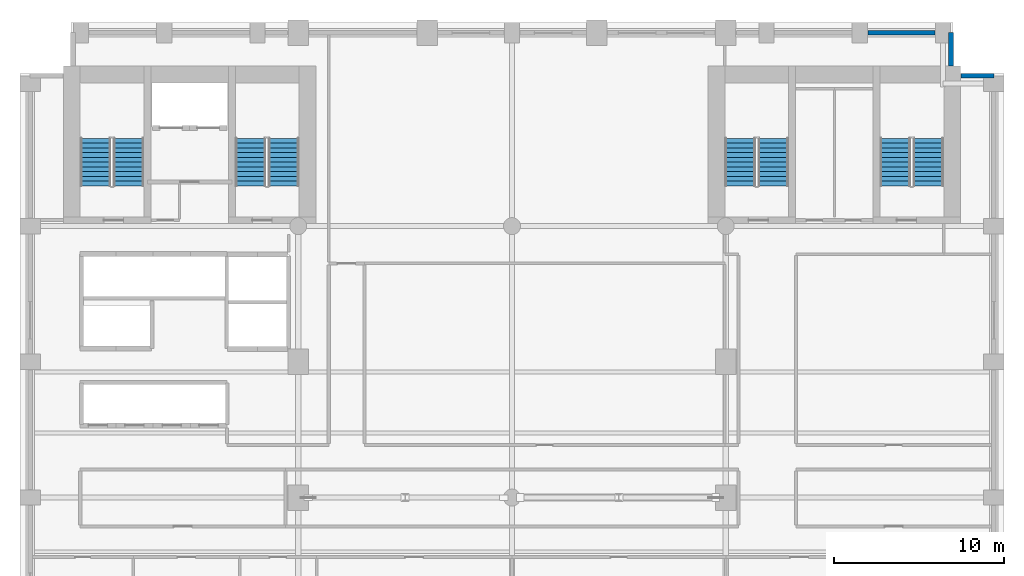
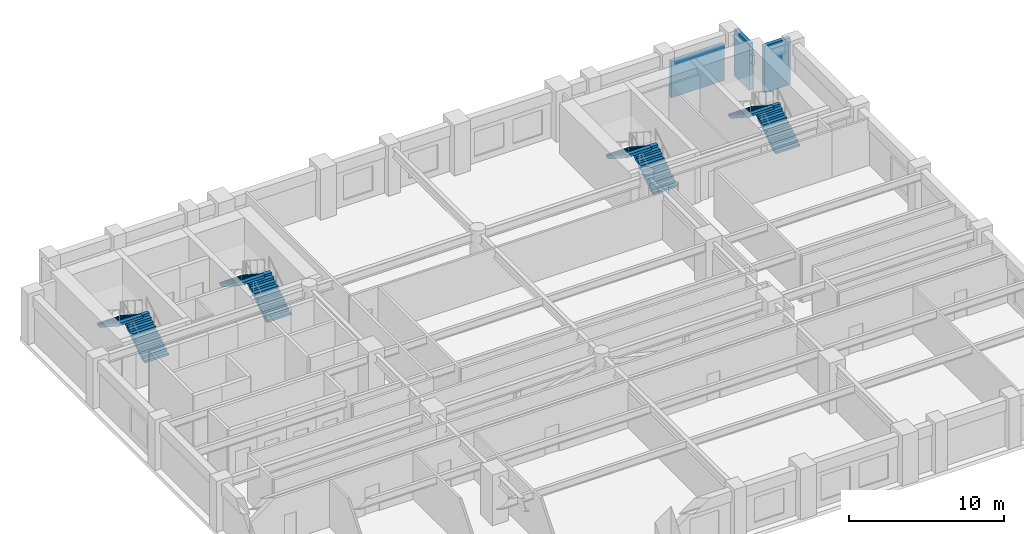
# One storey, part 8 of 10: 8 stair flights, 3 walls, 4 elements without a shape of their own.
"""IFC4 building model written with IfcOpenShell, lengths in metres."""

from ifc_helpers import new_model, si_unit, direction, frame, frame_2d, origin, place, context, subcontext, project, spatial, polyline, rectangle, outline, extrude, material, layer, layer_set, type_object, element, aggregate, save


model = new_model("IFC4")

# Units and contexts
model_context = context("Model", 3, precision=1e-05, world=origin(), true_north=direction((0.0, 1.0)))
body_context = subcontext(model_context, "Body", "Model", "MODEL_VIEW")
ifc_project = project(units=[si_unit("LENGTHUNIT", "METRE"), si_unit("AREAUNIT", "SQUARE_METRE"), si_unit("VOLUMEUNIT", "CUBIC_METRE"), si_unit("PLANEANGLEUNIT", "RADIAN"), si_unit("MASSUNIT", "GRAM", prefix="KILO")], contexts=[model_context])

# Site, building, storey
site_placement = place(None, origin())
site = spatial("IfcSite", under=ifc_project, at=site_placement, CompositionType="ELEMENT")
building_placement = place(site_placement, origin())
building = spatial("IfcBuilding", under=site, at=building_placement, Name="Sulina Concourse Tower", CompositionType="ELEMENT")
storey_placement = place(building_placement, frame((0.0, 0.0, 50.60009765625)))
storey = spatial("IfcBuildingStorey", under=building, at=storey_placement, Name="L12", CompositionType="ELEMENT", Elevation=50.60009765625)

# Walls
ifc_material_1 = material(Name="Precast concrete C50/60", Category="concrete")
ifc_layer = layer(ifc_material_1, 0.280029296875)
ifc_layer_set = layer_set([ifc_layer], Name="Precast concrete C50/60")
wall_type = type_object("IfcWallType", Name="Typical Precast Masonry-Frame Facade Wall 280mm", PredefinedType="SOLIDWALL", material=ifc_layer_set)
wall_1_placement = place(storey_placement, frame((49.969970703125, 45.39990234375, 0.0), z_axis=(0.0, 0.0, 1.0), x_axis=(1.0, 0.0, 0.0)))
element("IfcWall", 1, at=wall_1_placement, inside=storey, type_object=wall_type, Name="L12 exterior precast wall N10", PredefinedType="SOLIDWALL", context=body_context, shape_type="SweptSolid", body=[
    extrude(rectangle(XDim=3.9599609375, YDim=0.280029296875, at=frame_2d((1.97998046875, 0.0))), origin(), (0.0, 0.0, 1.0), 2.849853515625),
])
wall_2_placement = place(storey_placement, frame((54.8701171875, 45.39990234375, 0.0), z_axis=(0.0, 0.0, 1.0), x_axis=(0.0, -1.0, 0.0)))
element("IfcWall", 2, at=wall_2_placement, inside=storey, type_object=wall_type, Name="L12 exterior precast wall CNE1", PredefinedType="SOLIDWALL", context=body_context, shape_type="SweptSolid", body=[
    extrude(rectangle(XDim=1.96484375, YDim=0.280029296875, at=frame_2d((0.982421875, 0.0))), origin(), (0.0, 0.0, 1.0), 3.699951171875),
])
wall_3_placement = place(storey_placement, frame((55.455078125, 42.8701171875, 0.0), z_axis=(0.0, 0.0, 1.0), x_axis=(1.0, 0.0, 0.0)))
element("IfcWall", 3, at=wall_3_placement, inside=storey, type_object=wall_type, Name="L12 exterior precast wall CNE2", PredefinedType="SOLIDWALL", context=body_context, shape_type="SweptSolid", body=[
    extrude(rectangle(XDim=1.94482421875, YDim=0.280029296875, at=frame_2d((0.972412109375, 0.0))), origin(), (0.0, 0.0, 1.0), 3.699951171875),
])

# Stair, stair flights
ifc_material_2 = material(Name="Concrete C50/60", Category="concrete")
stair_type_1 = type_object("IfcStairType", Name="Portal & Podium Core Exit Stair 1820mm", PredefinedType="HALF_TURN_STAIR", material=ifc_material_2)
stair_1_placement = place(storey_placement, origin())
stair_1 = element("IfcStair", 4, at=stair_1_placement, inside=storey, type_object=stair_type_1, Name="L12 ST-3", PredefinedType="HALF_TURN_STAIR")
ifc_material_3 = material(Name="Concrete C50/60", Category="concrete")
stair_flight_type_1 = type_object("IfcStairFlightType", Name="Portal & Podium Core Exit Stair 1820mm Flight", PredefinedType="STRAIGHT", material=ifc_material_3)
stair_flight_1_placement = place(storey_placement, frame((44.405029296875, 36.375, 0.0), z_axis=(0.0, 0.0, 1.0), x_axis=(0.0, 1.0, 0.0)))
stair_flight_1 = element("IfcStairFlight", 5, at=stair_flight_1_placement, type_object=stair_flight_type_1, Name="ST-3 flight 1", NumberOfRisers=11, NumberOfTreads=10, PredefinedType="STRAIGHT", RiserHeight=0.181818182, TreadLength=0.28, context=body_context, shape_type="SweptSolid", body=[
    extrude(outline(polyline([(0.0, 0.0), (0.0, 0.181884765625), (0.280029296875, 0.181884765625), (0.280029296875, 0.363525390625), (0.56005859375, 0.363525390625), (0.56005859375, 0.54541015625), (0.840087890625, 0.54541015625), (0.840087890625, 0.727294921875), (1.1201171875, 0.727294921875), (1.1201171875, 0.9091796875), (1.39990234375, 0.9091796875), (1.39990234375, 1.0908203125), (1.679931640625, 1.0908203125), (1.679931640625, 1.272705078125), (1.9599609375, 1.272705078125), (1.9599609375, 1.45458984375), (2.239990234375, 1.45458984375), (2.239990234375, 1.636474609375), (2.52001953125, 1.636474609375), (2.52001953125, 1.818115234375), (2.800048828125, 1.818115234375), (2.800048828125, 2.0), (2.800048828125, 1.603759765625), (0.330322265625, 0.0), (0.0, 0.0)])), frame((0.0, 0.89990234375, 0.0), z_axis=(0.0, -1.0, 0.0), x_axis=(1.0, 0.0, 0.0)), (0.0, 0.0, 1.0), 1.800048828125),
])
stair_flight_2_placement = place(storey_placement, frame((42.455078125, 39.175048828125, 2.0), z_axis=(0.0, 0.0, 1.0), x_axis=(0.0, -1.0, 0.0)))
stair_flight_2 = element("IfcStairFlight", 6, at=stair_flight_2_placement, type_object=stair_flight_type_1, Name="ST-3 flight 2", NumberOfRisers=11, NumberOfTreads=10, PredefinedType="STRAIGHT", RiserHeight=0.181818182, TreadLength=0.28, context=body_context, shape_type="SweptSolid", body=[
    extrude(outline(polyline([(0.0, 0.0), (0.0, 0.181884765625), (0.280029296875, 0.181884765625), (0.280029296875, 0.363525390625), (0.56005859375, 0.363525390625), (0.56005859375, 0.54541015625), (0.840087890625, 0.54541015625), (0.840087890625, 0.727294921875), (1.1201171875, 0.727294921875), (1.1201171875, 0.9091796875), (1.39990234375, 0.9091796875), (1.39990234375, 1.0908203125), (1.679931640625, 1.0908203125), (1.679931640625, 1.272705078125), (1.9599609375, 1.272705078125), (1.9599609375, 1.45458984375), (2.239990234375, 1.45458984375), (2.239990234375, 1.636474609375), (2.52001953125, 1.636474609375), (2.52001953125, 1.818115234375), (2.800048828125, 1.818115234375), (2.800048828125, 2.0), (2.800048828125, 1.603759765625), (0.330322265625, 0.0), (0.0, 0.0)])), frame((0.0, 0.89990234375, 0.0), z_axis=(0.0, -1.0, 0.0), x_axis=(1.0, 0.0, 0.0)), (0.0, 0.0, 1.0), 1.800048828125),
])
aggregate(stair_1, [stair_flight_1, stair_flight_2])

stair_2_placement = place(storey_placement, origin())
stair_2 = element("IfcStair", 7, at=stair_2_placement, inside=storey, type_object=stair_type_1, Name="L12 ST-4", PredefinedType="HALF_TURN_STAIR")
stair_flight_3_placement = place(storey_placement, frame((53.544921875, 36.375, 0.0), z_axis=(0.0, 0.0, 1.0), x_axis=(0.0, 1.0, 0.0)))
stair_flight_3 = element("IfcStairFlight", 8, at=stair_flight_3_placement, type_object=stair_flight_type_1, Name="ST-4 flight 1", NumberOfRisers=11, NumberOfTreads=10, PredefinedType="STRAIGHT", RiserHeight=0.181818182, TreadLength=0.28, context=body_context, shape_type="SweptSolid", body=[
    extrude(outline(polyline([(0.0, 0.0), (0.0, 0.181884765625), (0.280029296875, 0.181884765625), (0.280029296875, 0.363525390625), (0.56005859375, 0.363525390625), (0.56005859375, 0.54541015625), (0.840087890625, 0.54541015625), (0.840087890625, 0.727294921875), (1.1201171875, 0.727294921875), (1.1201171875, 0.9091796875), (1.39990234375, 0.9091796875), (1.39990234375, 1.0908203125), (1.679931640625, 1.0908203125), (1.679931640625, 1.272705078125), (1.9599609375, 1.272705078125), (1.9599609375, 1.45458984375), (2.239990234375, 1.45458984375), (2.239990234375, 1.636474609375), (2.52001953125, 1.636474609375), (2.52001953125, 1.818115234375), (2.800048828125, 1.818115234375), (2.800048828125, 2.0), (2.800048828125, 1.603759765625), (0.330322265625, 0.0), (0.0, 0.0)])), frame((0.0, 0.89990234375, 0.0), z_axis=(0.0, -1.0, 0.0), x_axis=(1.0, 0.0, 0.0)), (0.0, 0.0, 1.0), 1.800048828125),
])
stair_flight_4_placement = place(storey_placement, frame((51.594970703125, 39.175048828125, 2.0), z_axis=(0.0, 0.0, 1.0), x_axis=(0.0, -1.0, 0.0)))
stair_flight_4 = element("IfcStairFlight", 9, at=stair_flight_4_placement, type_object=stair_flight_type_1, Name="ST-4 flight 2", NumberOfRisers=11, NumberOfTreads=10, PredefinedType="STRAIGHT", RiserHeight=0.181818182, TreadLength=0.28, context=body_context, shape_type="SweptSolid", body=[
    extrude(outline(polyline([(0.0, 0.0), (0.0, 0.181884765625), (0.280029296875, 0.181884765625), (0.280029296875, 0.363525390625), (0.56005859375, 0.363525390625), (0.56005859375, 0.54541015625), (0.840087890625, 0.54541015625), (0.840087890625, 0.727294921875), (1.1201171875, 0.727294921875), (1.1201171875, 0.9091796875), (1.39990234375, 0.9091796875), (1.39990234375, 1.0908203125), (1.679931640625, 1.0908203125), (1.679931640625, 1.272705078125), (1.9599609375, 1.272705078125), (1.9599609375, 1.45458984375), (2.239990234375, 1.45458984375), (2.239990234375, 1.636474609375), (2.52001953125, 1.636474609375), (2.52001953125, 1.818115234375), (2.800048828125, 1.818115234375), (2.800048828125, 2.0), (2.800048828125, 1.603759765625), (0.330322265625, 0.0), (0.0, 0.0)])), frame((0.0, 0.89990234375, 0.0), z_axis=(0.0, -1.0, 0.0), x_axis=(1.0, 0.0, 0.0)), (0.0, 0.0, 1.0), 1.800048828125),
])
aggregate(stair_2, [stair_flight_3, stair_flight_4])

ifc_material_4 = material(Name="Concrete C50/60", Category="concrete")
stair_type_2 = type_object("IfcStairType", Name="Primary Core Dog-Leg Exit Stair 1800mm", PredefinedType="HALF_TURN_STAIR", material=ifc_material_4)
stair_3_placement = place(storey_placement, origin())
stair_3 = element("IfcStair", 10, at=stair_3_placement, inside=storey, type_object=stair_type_2, Name="L12 ST-1", PredefinedType="HALF_TURN_STAIR")
ifc_material_5 = material(Name="Concrete C50/60", Category="concrete")
stair_flight_type_2 = type_object("IfcStairFlightType", Name="Primary Core Dog-Leg Exit Stair 1800mm Flight", PredefinedType="STRAIGHT", material=ifc_material_5)
stair_flight_5_placement = place(storey_placement, frame((6.405029296875, 36.375, 0.0), z_axis=(0.0, 0.0, 1.0), x_axis=(0.0, 1.0, 0.0)))
stair_flight_5 = element("IfcStairFlight", 11, at=stair_flight_5_placement, type_object=stair_flight_type_2, Name="ST-1 flight 1", NumberOfRisers=11, NumberOfTreads=10, PredefinedType="STRAIGHT", RiserHeight=0.181818182, TreadLength=0.28, context=body_context, shape_type="SweptSolid", body=[
    extrude(outline(polyline([(0.0, 0.0), (0.0, 0.181884765625), (0.280029296875, 0.181884765625), (0.280029296875, 0.363525390625), (0.56005859375, 0.363525390625), (0.56005859375, 0.54541015625), (0.840087890625, 0.54541015625), (0.840087890625, 0.727294921875), (1.1201171875, 0.727294921875), (1.1201171875, 0.9091796875), (1.39990234375, 0.9091796875), (1.39990234375, 1.0908203125), (1.679931640625, 1.0908203125), (1.679931640625, 1.272705078125), (1.9599609375, 1.272705078125), (1.9599609375, 1.45458984375), (2.239990234375, 1.45458984375), (2.239990234375, 1.636474609375), (2.52001953125, 1.636474609375), (2.52001953125, 1.818115234375), (2.800048828125, 1.818115234375), (2.800048828125, 2.0), (2.800048828125, 1.603759765625), (0.330322265625, 0.0), (0.0, 0.0)])), frame((0.0, 0.89990234375, 0.0), z_axis=(0.0, -1.0, 0.0), x_axis=(1.0, 0.0, 0.0)), (0.0, 0.0, 1.0), 1.800048828125),
])
stair_flight_6_placement = place(storey_placement, frame((4.455078125, 39.175048828125, 2.0), z_axis=(0.0, 0.0, 1.0), x_axis=(0.0, -1.0, 0.0)))
stair_flight_6 = element("IfcStairFlight", 12, at=stair_flight_6_placement, type_object=stair_flight_type_2, Name="ST-1 flight 2", NumberOfRisers=11, NumberOfTreads=10, PredefinedType="STRAIGHT", RiserHeight=0.181818182, TreadLength=0.28, context=body_context, shape_type="SweptSolid", body=[
    extrude(outline(polyline([(0.0, 0.0), (0.0, 0.181884765625), (0.280029296875, 0.181884765625), (0.280029296875, 0.363525390625), (0.56005859375, 0.363525390625), (0.56005859375, 0.54541015625), (0.840087890625, 0.54541015625), (0.840087890625, 0.727294921875), (1.1201171875, 0.727294921875), (1.1201171875, 0.9091796875), (1.39990234375, 0.9091796875), (1.39990234375, 1.0908203125), (1.679931640625, 1.0908203125), (1.679931640625, 1.272705078125), (1.9599609375, 1.272705078125), (1.9599609375, 1.45458984375), (2.239990234375, 1.45458984375), (2.239990234375, 1.636474609375), (2.52001953125, 1.636474609375), (2.52001953125, 1.818115234375), (2.800048828125, 1.818115234375), (2.800048828125, 2.0), (2.800048828125, 1.603759765625), (0.330322265625, 0.0), (0.0, 0.0)])), frame((0.0, 0.89990234375, 0.0), z_axis=(0.0, -1.0, 0.0), x_axis=(1.0, 0.0, 0.0)), (0.0, 0.0, 1.0), 1.800048828125),
])
aggregate(stair_3, [stair_flight_5, stair_flight_6])

stair_4_placement = place(storey_placement, origin())
stair_4 = element("IfcStair", 13, at=stair_4_placement, inside=storey, type_object=stair_type_2, Name="L12 ST-2", PredefinedType="HALF_TURN_STAIR")
stair_flight_7_placement = place(storey_placement, frame((15.544921875, 36.375, 0.0), z_axis=(0.0, 0.0, 1.0), x_axis=(0.0, 1.0, 0.0)))
stair_flight_7 = element("IfcStairFlight", 14, at=stair_flight_7_placement, type_object=stair_flight_type_2, Name="ST-2 flight 1", NumberOfRisers=11, NumberOfTreads=10, PredefinedType="STRAIGHT", RiserHeight=0.181818182, TreadLength=0.28, context=body_context, shape_type="SweptSolid", body=[
    extrude(outline(polyline([(0.0, 0.0), (0.0, 0.181884765625), (0.280029296875, 0.181884765625), (0.280029296875, 0.363525390625), (0.56005859375, 0.363525390625), (0.56005859375, 0.54541015625), (0.840087890625, 0.54541015625), (0.840087890625, 0.727294921875), (1.1201171875, 0.727294921875), (1.1201171875, 0.9091796875), (1.39990234375, 0.9091796875), (1.39990234375, 1.0908203125), (1.679931640625, 1.0908203125), (1.679931640625, 1.272705078125), (1.9599609375, 1.272705078125), (1.9599609375, 1.45458984375), (2.239990234375, 1.45458984375), (2.239990234375, 1.636474609375), (2.52001953125, 1.636474609375), (2.52001953125, 1.818115234375), (2.800048828125, 1.818115234375), (2.800048828125, 2.0), (2.800048828125, 1.603759765625), (0.330322265625, 0.0), (0.0, 0.0)])), frame((0.0, 0.89990234375, 0.0), z_axis=(0.0, -1.0, 0.0), x_axis=(1.0, 0.0, 0.0)), (0.0, 0.0, 1.0), 1.800048828125),
])
stair_flight_8_placement = place(storey_placement, frame((13.594970703125, 39.175048828125, 2.0), z_axis=(0.0, 0.0, 1.0), x_axis=(0.0, -1.0, 0.0)))
stair_flight_8 = element("IfcStairFlight", 15, at=stair_flight_8_placement, type_object=stair_flight_type_2, Name="ST-2 flight 2", NumberOfRisers=11, NumberOfTreads=10, PredefinedType="STRAIGHT", RiserHeight=0.181818182, TreadLength=0.28, context=body_context, shape_type="SweptSolid", body=[
    extrude(outline(polyline([(0.0, 0.0), (0.0, 0.181884765625), (0.280029296875, 0.181884765625), (0.280029296875, 0.363525390625), (0.56005859375, 0.363525390625), (0.56005859375, 0.54541015625), (0.840087890625, 0.54541015625), (0.840087890625, 0.727294921875), (1.1201171875, 0.727294921875), (1.1201171875, 0.9091796875), (1.39990234375, 0.9091796875), (1.39990234375, 1.0908203125), (1.679931640625, 1.0908203125), (1.679931640625, 1.272705078125), (1.9599609375, 1.272705078125), (1.9599609375, 1.45458984375), (2.239990234375, 1.45458984375), (2.239990234375, 1.636474609375), (2.52001953125, 1.636474609375), (2.52001953125, 1.818115234375), (2.800048828125, 1.818115234375), (2.800048828125, 2.0), (2.800048828125, 1.603759765625), (0.330322265625, 0.0), (0.0, 0.0)])), frame((0.0, 0.89990234375, 0.0), z_axis=(0.0, -1.0, 0.0), x_axis=(1.0, 0.0, 0.0)), (0.0, 0.0, 1.0), 1.800048828125),
])
aggregate(stair_4, [stair_flight_7, stair_flight_8])

save(model, "model.ifc")
